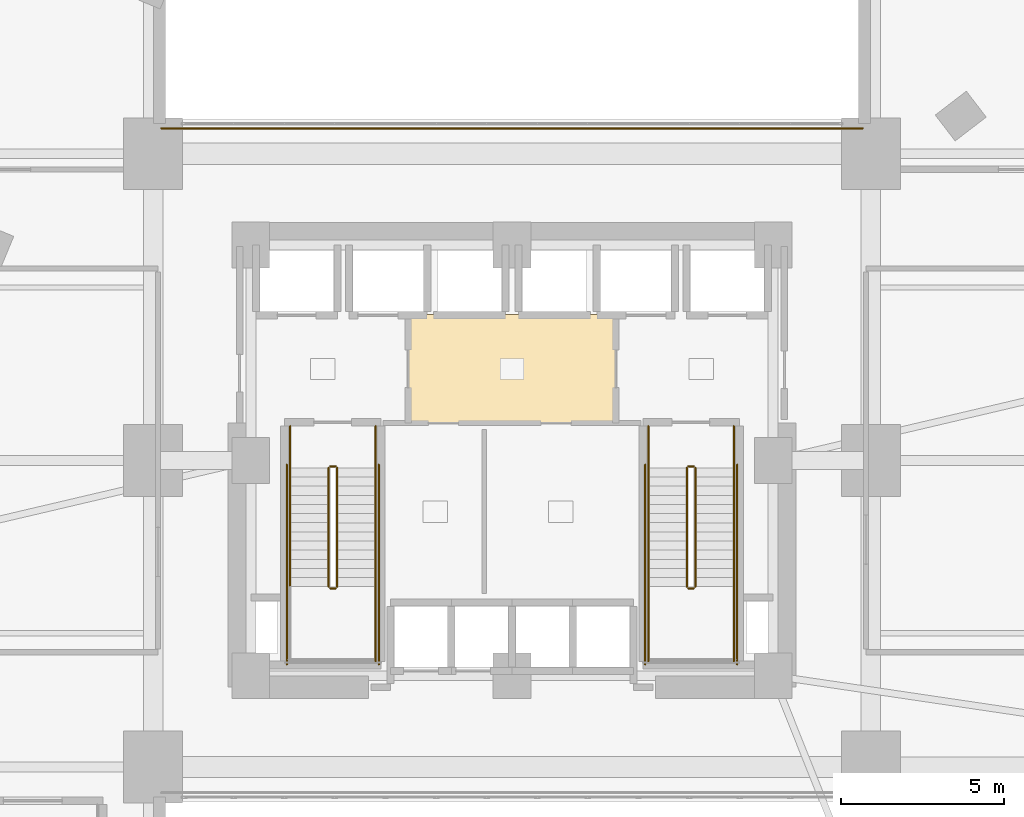
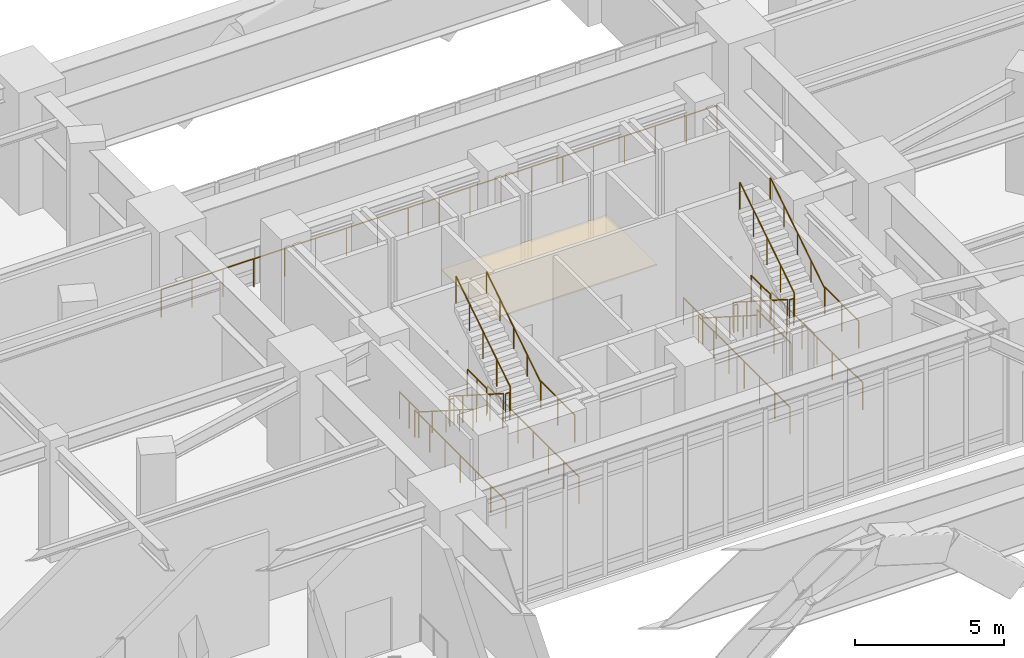
# One storey, part 24 of 25: 24 railings, 1 covering.
"""IFC4 building model written with IfcOpenShell, lengths in metres."""

from ifc_helpers import new_model, si_unit, direction, frame, origin, origin_2d, place, context, subcontext, project, spatial, rectangle, circle, extrude, material, layer, layer_set, type_object, element, save


model = new_model("IFC4")

# Units and contexts
model_context = context("Model", 3, precision=1e-05, world=origin(), true_north=direction((0.0, 1.0)))
body_context = subcontext(model_context, "Body", "Model", "MODEL_VIEW")
ifc_project = project(units=[si_unit("LENGTHUNIT", "METRE"), si_unit("AREAUNIT", "SQUARE_METRE"), si_unit("VOLUMEUNIT", "CUBIC_METRE"), si_unit("PLANEANGLEUNIT", "RADIAN"), si_unit("MASSUNIT", "GRAM", prefix="KILO")], contexts=[model_context])

# Site, building, storey
site_placement = place(None, origin())
site = spatial("IfcSite", under=ifc_project, at=site_placement, CompositionType="ELEMENT")
building_placement = place(site_placement, origin())
building = spatial("IfcBuilding", under=site, at=building_placement, Name="Ndelora Gate Hotel", CompositionType="ELEMENT")
storey_placement = place(building_placement, frame((0.0, 0.0, 11.0)))
storey = spatial("IfcBuildingStorey", under=building, at=storey_placement, Name="L02", CompositionType="ELEMENT", Elevation=11.0)

# Covering
ifc_material_1 = material(Name="Perforated Acoustic Gypsum Board", Category="gypsum")
ifc_layer_1 = layer(ifc_material_1, 0.054931640625)
ifc_layer_set_1 = layer_set([ifc_layer_1], Name="Perforated Acoustic Gypsum Board")
covering_type = type_object("IfcCoveringType", Name="COV-CEIL-AC60", PredefinedType="CEILING", material=ifc_layer_set_1)
covering_placement = place(storey_placement, frame((0.0, 2.800048828125, 2.72265625), z_axis=(0.0, 0.0, 1.0), x_axis=(1.0, 0.0, 0.0)))
element("IfcCovering", 1, at=covering_placement, inside=storey, type_object=covering_type, Name="L02 Lift Lobby Acoustic Ceiling", PredefinedType="CEILING", context=body_context, shape_type="SweptSolid", body=[
    extrude(rectangle(XDim=6.39990234375, YDim=3.340087890625, at=origin_2d()), origin(), (0.0, 0.0, 1.0), 0.054931640625),
])

# Railings
ifc_material_2 = material(Name="Laminated Safety Glass and Bronze Top Rail", Category="glass")
ifc_layer_2 = layer(ifc_material_2, 0.070068359375)
ifc_layer_set_2 = layer_set([ifc_layer_2], Name="Laminated Safety Glass and Bronze Top Rail")
railing_type_1 = type_object("IfcRailingType", Name="RL-BAL-1150", PredefinedType="BALUSTRADE", material=ifc_layer_set_2)
railing_1_placement = place(storey_placement, frame((-10.75, 10.179931640625, 0.0)))
element("IfcRailing", 2, at=railing_1_placement, inside=storey, type_object=railing_type_1, Name="L02 Portal Arch Atrium Edge Guard N-BRIDGE", PredefinedType="BALUSTRADE", context=body_context, shape_type="SweptSolid", body=[
    extrude(circle(Radius=0.02392578125, at=origin_2d()), frame((0.0, 0.0, 1.1357421875), z_axis=(1.0, 0.0, 0.0), x_axis=(0.0, 1.0, 0.0)), (0.0, 0.0, 1.0), 21.5),
    extrude(circle(Radius=0.02099609375, at=origin_2d()), origin(), (0.0, 0.0, 1.0), 1.11181640625),
    extrude(circle(Radius=0.02099609375, at=origin_2d()), frame((1.1943359375, 0.0, 0.0)), (0.0, 0.0, 1.0), 1.11181640625),
    extrude(circle(Radius=0.02099609375, at=origin_2d()), frame((2.388916015625, 0.0, 0.0)), (0.0, 0.0, 1.0), 1.11181640625),
    extrude(circle(Radius=0.02099609375, at=origin_2d()), frame((3.583251953125, 0.0, 0.0)), (0.0, 0.0, 1.0), 1.11181640625),
    extrude(circle(Radius=0.02099609375, at=origin_2d()), frame((4.77783203125, 0.0, 0.0)), (0.0, 0.0, 1.0), 1.11181640625),
    extrude(circle(Radius=0.02099609375, at=origin_2d()), frame((5.97216796875, 0.0, 0.0)), (0.0, 0.0, 1.0), 1.11181640625),
    extrude(circle(Radius=0.02099609375, at=origin_2d()), frame((7.166748046875, 0.0, 0.0)), (0.0, 0.0, 1.0), 1.11181640625),
    extrude(circle(Radius=0.02099609375, at=origin_2d()), frame((8.361083984375, 0.0, 0.0)), (0.0, 0.0, 1.0), 1.11181640625),
    extrude(circle(Radius=0.02099609375, at=origin_2d()), frame((9.5556640625, 0.0, 0.0)), (0.0, 0.0, 1.0), 1.11181640625),
    extrude(circle(Radius=0.02099609375, at=origin_2d()), frame((10.75, 0.0, 0.0)), (0.0, 0.0, 1.0), 1.11181640625),
    extrude(circle(Radius=0.02099609375, at=origin_2d()), frame((11.9443359375, 0.0, 0.0)), (0.0, 0.0, 1.0), 1.11181640625),
    extrude(circle(Radius=0.02099609375, at=origin_2d()), frame((13.138916015625, 0.0, 0.0)), (0.0, 0.0, 1.0), 1.11181640625),
    extrude(circle(Radius=0.02099609375, at=origin_2d()), frame((14.333251953125, 0.0, 0.0)), (0.0, 0.0, 1.0), 1.11181640625),
    extrude(circle(Radius=0.02099609375, at=origin_2d()), frame((15.52783203125, 0.0, 0.0)), (0.0, 0.0, 1.0), 1.11181640625),
    extrude(circle(Radius=0.02099609375, at=origin_2d()), frame((16.72216796875, 0.0, 0.0)), (0.0, 0.0, 1.0), 1.11181640625),
    extrude(circle(Radius=0.02099609375, at=origin_2d()), frame((17.916748046875, 0.0, 0.0)), (0.0, 0.0, 1.0), 1.11181640625),
    extrude(circle(Radius=0.02099609375, at=origin_2d()), frame((19.111083984375, 0.0, 0.0)), (0.0, 0.0, 1.0), 1.11181640625),
    extrude(circle(Radius=0.02099609375, at=origin_2d()), frame((20.3056640625, 0.0, 0.0)), (0.0, 0.0, 1.0), 1.11181640625),
    extrude(circle(Radius=0.02099609375, at=origin_2d()), frame((21.5, 0.0, 0.0)), (0.0, 0.0, 1.0), 1.11181640625),
])
ifc_material_3 = material(Name="Painted Galvanized Steel Balustrade", Category="steel")
ifc_layer_3 = layer(ifc_material_3, 0.06005859375)
ifc_layer_set_3 = layer_set([ifc_layer_3], Name="Painted Galvanized Steel Balustrade")
railing_type_2 = type_object("IfcRailingType", Name="RL-STAIR-GD", PredefinedType="GUARDRAIL", material=ifc_layer_set_3)
railing_2_placement = place(storey_placement, frame((-5.6201171875, -0.22998046875, 0.178466796875)))
element("IfcRailing", 3, at=railing_2_placement, inside=storey, type_object=railing_type_2, Name="L02 ST4 stair guard 1", PredefinedType="GUARDRAIL", context=body_context, shape_type="SweptSolid", body=[
    extrude(circle(Radius=0.02392578125, at=origin_2d()), frame((0.0, 0.0, 1.10595703125), z_axis=(0.0, -0.843127859045, 0.537713132908), x_axis=(1.0, 0.0, 0.0)), (0.0, 0.0, 1.0), 4.3173828125),
    extrude(circle(Radius=0.02099609375, at=origin_2d()), origin(), (0.0, 0.0, 1.0), 1.081787109375),
    extrude(circle(Radius=0.02099609375, at=origin_2d()), frame((0.0, -0.91015625, 0.580322265625)), (0.0, 0.0, 1.0), 1.081787109375),
    extrude(circle(Radius=0.02099609375, at=origin_2d()), frame((0.0, -1.820068359375, 1.16064453125)), (0.0, 0.0, 1.0), 1.081787109375),
    extrude(circle(Radius=0.02099609375, at=origin_2d()), frame((0.0, -2.72998046875, 1.7412109375)), (0.0, 0.0, 1.0), 1.081787109375),
    extrude(circle(Radius=0.02099609375, at=origin_2d()), frame((0.0, -3.64013671875, 2.321533203125)), (0.0, 0.0, 1.0), 1.081787109375),
])
railing_3_placement = place(storey_placement, frame((-5.570068359375, -3.919921875, 2.5)))
element("IfcRailing", 4, at=railing_3_placement, inside=storey, type_object=railing_type_2, Name="L02 ST4 stair guard 2", PredefinedType="GUARDRAIL", context=body_context, shape_type="SweptSolid", body=[
    extrude(circle(Radius=0.02392578125, at=origin_2d()), frame((0.0, 0.0, 1.10595703125), z_axis=(1.0, 0.0, 0.0), x_axis=(0.0, 1.0, 0.0)), (0.0, 0.0, 1.0), 0.16015625),
    extrude(circle(Radius=0.02099609375, at=origin_2d()), origin(), (0.0, 0.0, 1.0), 1.081787109375),
    extrude(circle(Radius=0.02099609375, at=origin_2d()), frame((0.16015625, 0.0, 0.0)), (0.0, 0.0, 1.0), 1.081787109375),
])
railing_4_placement = place(storey_placement, frame((-4.179931640625, -3.8701171875, 2.5)))
element("IfcRailing", 5, at=railing_4_placement, inside=storey, type_object=railing_type_2, Name="L02 ST4 stair guard 4", PredefinedType="GUARDRAIL", context=body_context, shape_type="SweptSolid", body=[
    extrude(circle(Radius=0.02392578125, at=origin_2d()), frame((0.0, 0.0, 1.10595703125), z_axis=(0.0, -1.0, 0.0), x_axis=(1.0, 0.0, 0.0)), (0.0, 0.0, 1.0), 2.27978515625),
    extrude(circle(Radius=0.02099609375, at=origin_2d()), origin(), (0.0, 0.0, 1.0), 1.081787109375),
    extrude(circle(Radius=0.02099609375, at=origin_2d()), frame((0.0, -1.139892578125, 0.0)), (0.0, 0.0, 1.0), 1.081787109375),
    extrude(circle(Radius=0.02099609375, at=origin_2d()), frame((0.0, -2.27978515625, 0.0)), (0.0, 0.0, 1.0), 1.081787109375),
])
railing_5_placement = place(storey_placement, frame((-5.360107421875, -3.8701171875, 2.678466796875)))
element("IfcRailing", 6, at=railing_5_placement, inside=storey, type_object=railing_type_2, Name="L02 ST4 stair guard 6", PredefinedType="GUARDRAIL", context=body_context, shape_type="SweptSolid", body=[
    extrude(circle(Radius=0.02392578125, at=origin_2d()), frame((0.0, 0.0, 1.10595703125), z_axis=(0.0, 0.843127859045, 0.537713132908), x_axis=(-1.0, 0.0, 0.0)), (0.0, 0.0, 1.0), 4.3173828125),
    extrude(circle(Radius=0.02099609375, at=origin_2d()), origin(), (0.0, 0.0, 1.0), 1.081787109375),
    extrude(circle(Radius=0.02099609375, at=origin_2d()), frame((0.0, 0.91015625, 0.580322265625)), (0.0, 0.0, 1.0), 1.081787109375),
    extrude(circle(Radius=0.02099609375, at=origin_2d()), frame((0.0, 1.820068359375, 1.16064453125)), (0.0, 0.0, 1.0), 1.081787109375),
    extrude(circle(Radius=0.02099609375, at=origin_2d()), frame((0.0, 2.72998046875, 1.7412109375)), (0.0, 0.0, 1.0), 1.081787109375),
    extrude(circle(Radius=0.02099609375, at=origin_2d()), frame((0.0, 3.64013671875, 2.321533203125)), (0.0, 0.0, 1.0), 1.081787109375),
])
railing_6_placement = place(storey_placement, frame((-5.570068359375, -0.179931640625, 0.0)))
element("IfcRailing", 7, at=railing_6_placement, inside=storey, type_object=railing_type_2, Name="L02 ST4 stair guard 7", PredefinedType="GUARDRAIL", context=body_context, shape_type="SweptSolid", body=[
    extrude(circle(Radius=0.02392578125, at=origin_2d()), frame((0.0, 0.0, 1.10595703125), z_axis=(1.0, 0.0, 0.0), x_axis=(0.0, 1.0, 0.0)), (0.0, 0.0, 1.0), 0.16015625),
    extrude(circle(Radius=0.02099609375, at=origin_2d()), origin(), (0.0, 0.0, 1.0), 1.081787109375),
    extrude(circle(Radius=0.02099609375, at=origin_2d()), frame((0.16015625, 0.0, 0.0)), (0.0, 0.0, 1.0), 1.081787109375),
])
for number, where, name in (
    (8, (-6.800048828125, 1.050048828125, 0.0), "L02 ST4 stair guard 8"),
    (9, (-4.179931640625, 1.050048828125, 0.0), "L02 ST4 stair guard 9"),
):
    element("IfcRailing", number, at=place(storey_placement, frame(where)), inside=storey, type_object=railing_type_2, Name=name, PredefinedType="GUARDRAIL", context=body_context, shape_type="SweptSolid", body=[
        extrude(circle(Radius=0.02392578125, at=origin_2d()), frame((0.0, 0.0, 1.10595703125), z_axis=(0.0, -1.0, 0.0), x_axis=(1.0, 0.0, 0.0)), (0.0, 0.0, 1.0), 1.280029296875),
        extrude(circle(Radius=0.02099609375, at=origin_2d()), origin(), (0.0, 0.0, 1.0), 1.081787109375),
        extrude(circle(Radius=0.02099609375, at=origin_2d()), frame((0.0, -0.64013671875, 0.0)), (0.0, 0.0, 1.0), 1.081787109375),
        extrude(circle(Radius=0.02099609375, at=origin_2d()), frame((0.0, -1.280029296875, 0.0)), (0.0, 0.0, 1.0), 1.081787109375),
    ])
for number, where, name in (
    (10, (-6.89990234375, -0.1298828125, 0.0), "L02 ST4 stair guard 10"),
    (11, (-4.080078125, -0.1298828125, 0.0), "L02 ST4 stair guard 11"),
):
    element("IfcRailing", number, at=place(storey_placement, frame(where)), inside=storey, type_object=railing_type_2, Name=name, PredefinedType="GUARDRAIL", context=body_context, shape_type="SweptSolid", body=[
        extrude(circle(Radius=0.02392578125, at=origin_2d()), frame((0.0, 0.0, 1.10595703125), z_axis=(0.0, -1.0, 0.0), x_axis=(1.0, 0.0, 0.0)), (0.0, 0.0, 1.0), 6.1201171875),
        extrude(circle(Radius=0.02099609375, at=origin_2d()), origin(), (0.0, 0.0, 1.0), 1.081787109375),
        extrude(circle(Radius=0.02099609375, at=origin_2d()), frame((0.0, -1.02001953125, 0.0)), (0.0, 0.0, 1.0), 1.081787109375),
        extrude(circle(Radius=0.02099609375, at=origin_2d()), frame((0.0, -2.0400390625, 0.0)), (0.0, 0.0, 1.0), 1.081787109375),
        extrude(circle(Radius=0.02099609375, at=origin_2d()), frame((0.0, -3.06005859375, 0.0)), (0.0, 0.0, 1.0), 1.081787109375),
        extrude(circle(Radius=0.02099609375, at=origin_2d()), frame((0.0, -4.080078125, 0.0)), (0.0, 0.0, 1.0), 1.081787109375),
        extrude(circle(Radius=0.02099609375, at=origin_2d()), frame((0.0, -5.10009765625, 0.0)), (0.0, 0.0, 1.0), 1.081787109375),
        extrude(circle(Radius=0.02099609375, at=origin_2d()), frame((0.0, -6.1201171875, 0.0)), (0.0, 0.0, 1.0), 1.081787109375),
    ])
railing_7_placement = place(storey_placement, frame((5.360107421875, -0.22998046875, 0.178466796875)))
element("IfcRailing", 12, at=railing_7_placement, inside=storey, type_object=railing_type_2, Name="L02 ST5 stair guard 1", PredefinedType="GUARDRAIL", context=body_context, shape_type="SweptSolid", body=[
    extrude(circle(Radius=0.02392578125, at=origin_2d()), frame((0.0, 0.0, 1.10595703125), z_axis=(0.0, -0.843127859045, 0.537713132908), x_axis=(1.0, 0.0, 0.0)), (0.0, 0.0, 1.0), 4.3173828125),
    extrude(circle(Radius=0.02099609375, at=origin_2d()), origin(), (0.0, 0.0, 1.0), 1.081787109375),
    extrude(circle(Radius=0.02099609375, at=origin_2d()), frame((0.0, -0.91015625, 0.580322265625)), (0.0, 0.0, 1.0), 1.081787109375),
    extrude(circle(Radius=0.02099609375, at=origin_2d()), frame((0.0, -1.820068359375, 1.16064453125)), (0.0, 0.0, 1.0), 1.081787109375),
    extrude(circle(Radius=0.02099609375, at=origin_2d()), frame((0.0, -2.72998046875, 1.7412109375)), (0.0, 0.0, 1.0), 1.081787109375),
    extrude(circle(Radius=0.02099609375, at=origin_2d()), frame((0.0, -3.64013671875, 2.321533203125)), (0.0, 0.0, 1.0), 1.081787109375),
])
railing_8_placement = place(storey_placement, frame((5.409912109375, -3.919921875, 2.5)))
element("IfcRailing", 13, at=railing_8_placement, inside=storey, type_object=railing_type_2, Name="L02 ST5 stair guard 2", PredefinedType="GUARDRAIL", context=body_context, shape_type="SweptSolid", body=[
    extrude(circle(Radius=0.02392578125, at=origin_2d()), frame((0.0, 0.0, 1.10595703125), z_axis=(1.0, 0.0, 0.0), x_axis=(0.0, 1.0, 0.0)), (0.0, 0.0, 1.0), 0.16015625),
    extrude(circle(Radius=0.02099609375, at=origin_2d()), origin(), (0.0, 0.0, 1.0), 1.081787109375),
    extrude(circle(Radius=0.02099609375, at=origin_2d()), frame((0.16015625, 0.0, 0.0)), (0.0, 0.0, 1.0), 1.081787109375),
])
for number, where, name in (
    (14, (4.179931640625, -3.8701171875, 2.5), "L02 ST5 stair guard 3"),
    (15, (6.800048828125, -3.8701171875, 2.5), "L02 ST5 stair guard 4"),
):
    element("IfcRailing", number, at=place(storey_placement, frame(where)), inside=storey, type_object=railing_type_2, Name=name, PredefinedType="GUARDRAIL", context=body_context, shape_type="SweptSolid", body=[
        extrude(circle(Radius=0.02392578125, at=origin_2d()), frame((0.0, 0.0, 1.10595703125), z_axis=(0.0, -1.0, 0.0), x_axis=(1.0, 0.0, 0.0)), (0.0, 0.0, 1.0), 2.27978515625),
        extrude(circle(Radius=0.02099609375, at=origin_2d()), origin(), (0.0, 0.0, 1.0), 1.081787109375),
        extrude(circle(Radius=0.02099609375, at=origin_2d()), frame((0.0, -1.139892578125, 0.0)), (0.0, 0.0, 1.0), 1.081787109375),
        extrude(circle(Radius=0.02099609375, at=origin_2d()), frame((0.0, -2.27978515625, 0.0)), (0.0, 0.0, 1.0), 1.081787109375),
    ])
railing_9_placement = place(storey_placement, frame((5.6201171875, -3.8701171875, 2.678466796875)))
element("IfcRailing", 16, at=railing_9_placement, inside=storey, type_object=railing_type_2, Name="L02 ST5 stair guard 6", PredefinedType="GUARDRAIL", context=body_context, shape_type="SweptSolid", body=[
    extrude(circle(Radius=0.02392578125, at=origin_2d()), frame((0.0, 0.0, 1.10595703125), z_axis=(0.0, 0.843127859045, 0.537713132908), x_axis=(-1.0, 0.0, 0.0)), (0.0, 0.0, 1.0), 4.3173828125),
    extrude(circle(Radius=0.02099609375, at=origin_2d()), origin(), (0.0, 0.0, 1.0), 1.081787109375),
    extrude(circle(Radius=0.02099609375, at=origin_2d()), frame((0.0, 0.91015625, 0.580322265625)), (0.0, 0.0, 1.0), 1.081787109375),
    extrude(circle(Radius=0.02099609375, at=origin_2d()), frame((0.0, 1.820068359375, 1.16064453125)), (0.0, 0.0, 1.0), 1.081787109375),
    extrude(circle(Radius=0.02099609375, at=origin_2d()), frame((0.0, 2.72998046875, 1.7412109375)), (0.0, 0.0, 1.0), 1.081787109375),
    extrude(circle(Radius=0.02099609375, at=origin_2d()), frame((0.0, 3.64013671875, 2.321533203125)), (0.0, 0.0, 1.0), 1.081787109375),
])
railing_10_placement = place(storey_placement, frame((5.409912109375, -0.179931640625, 0.0)))
element("IfcRailing", 17, at=railing_10_placement, inside=storey, type_object=railing_type_2, Name="L02 ST5 stair guard 7", PredefinedType="GUARDRAIL", context=body_context, shape_type="SweptSolid", body=[
    extrude(circle(Radius=0.02392578125, at=origin_2d()), frame((0.0, 0.0, 1.10595703125), z_axis=(1.0, 0.0, 0.0), x_axis=(0.0, 1.0, 0.0)), (0.0, 0.0, 1.0), 0.16015625),
    extrude(circle(Radius=0.02099609375, at=origin_2d()), origin(), (0.0, 0.0, 1.0), 1.081787109375),
    extrude(circle(Radius=0.02099609375, at=origin_2d()), frame((0.16015625, 0.0, 0.0)), (0.0, 0.0, 1.0), 1.081787109375),
])
for number, where, name in (
    (18, (4.179931640625, 1.050048828125, 0.0), "L02 ST5 stair guard 8"),
    (19, (6.800048828125, 1.050048828125, 0.0), "L02 ST5 stair guard 9"),
):
    element("IfcRailing", number, at=place(storey_placement, frame(where)), inside=storey, type_object=railing_type_2, Name=name, PredefinedType="GUARDRAIL", context=body_context, shape_type="SweptSolid", body=[
        extrude(circle(Radius=0.02392578125, at=origin_2d()), frame((0.0, 0.0, 1.10595703125), z_axis=(0.0, -1.0, 0.0), x_axis=(1.0, 0.0, 0.0)), (0.0, 0.0, 1.0), 1.280029296875),
        extrude(circle(Radius=0.02099609375, at=origin_2d()), origin(), (0.0, 0.0, 1.0), 1.081787109375),
        extrude(circle(Radius=0.02099609375, at=origin_2d()), frame((0.0, -0.64013671875, 0.0)), (0.0, 0.0, 1.0), 1.081787109375),
        extrude(circle(Radius=0.02099609375, at=origin_2d()), frame((0.0, -1.280029296875, 0.0)), (0.0, 0.0, 1.0), 1.081787109375),
    ])
for number, where, name in (
    (20, (4.080078125, -0.1298828125, 0.0), "L02 ST5 stair guard 10"),
    (21, (6.89990234375, -0.1298828125, 0.0), "L02 ST5 stair guard 11"),
):
    element("IfcRailing", number, at=place(storey_placement, frame(where)), inside=storey, type_object=railing_type_2, Name=name, PredefinedType="GUARDRAIL", context=body_context, shape_type="SweptSolid", body=[
        extrude(circle(Radius=0.02392578125, at=origin_2d()), frame((0.0, 0.0, 1.10595703125), z_axis=(0.0, -1.0, 0.0), x_axis=(1.0, 0.0, 0.0)), (0.0, 0.0, 1.0), 6.1201171875),
        extrude(circle(Radius=0.02099609375, at=origin_2d()), origin(), (0.0, 0.0, 1.0), 1.081787109375),
        extrude(circle(Radius=0.02099609375, at=origin_2d()), frame((0.0, -1.02001953125, 0.0)), (0.0, 0.0, 1.0), 1.081787109375),
        extrude(circle(Radius=0.02099609375, at=origin_2d()), frame((0.0, -2.0400390625, 0.0)), (0.0, 0.0, 1.0), 1.081787109375),
        extrude(circle(Radius=0.02099609375, at=origin_2d()), frame((0.0, -3.06005859375, 0.0)), (0.0, 0.0, 1.0), 1.081787109375),
        extrude(circle(Radius=0.02099609375, at=origin_2d()), frame((0.0, -4.080078125, 0.0)), (0.0, 0.0, 1.0), 1.081787109375),
        extrude(circle(Radius=0.02099609375, at=origin_2d()), frame((0.0, -5.10009765625, 0.0)), (0.0, 0.0, 1.0), 1.081787109375),
        extrude(circle(Radius=0.02099609375, at=origin_2d()), frame((0.0, -6.1201171875, 0.0)), (0.0, 0.0, 1.0), 1.081787109375),
    ])
ifc_material_4 = material(Name="Brushed Stainless Steel 316", Category="steel")
ifc_layer_4 = layer(ifc_material_4, 0.050048828125)
ifc_layer_set_4 = layer_set([ifc_layer_4], Name="Brushed Stainless Steel 316")
railing_type_3 = type_object("IfcRailingType", Name="RL-STAIR-HR", PredefinedType="HANDRAIL", material=ifc_layer_set_4)
railing_11_placement = place(storey_placement, frame((-6.800048828125, -0.22998046875, 0.178466796875)))
element("IfcRailing", 22, at=railing_11_placement, inside=storey, type_object=railing_type_3, Name="L02 ST4 stair handrail 1", PredefinedType="HANDRAIL", context=body_context, shape_type="SweptSolid", body=[
    extrude(circle(Radius=0.02392578125, at=origin_2d()), frame((0.0, 0.0, 0.8759765625), z_axis=(0.0, -0.843127859045, 0.537713132908), x_axis=(1.0, 0.0, 0.0)), (0.0, 0.0, 1.0), 4.3173828125),
    extrude(circle(Radius=0.02099609375, at=origin_2d()), origin(), (0.0, 0.0, 1.0), 0.851806640625),
    extrude(circle(Radius=0.02099609375, at=origin_2d()), frame((0.0, -0.91015625, 0.580322265625)), (0.0, 0.0, 1.0), 0.851806640625),
    extrude(circle(Radius=0.02099609375, at=origin_2d()), frame((0.0, -1.820068359375, 1.16064453125)), (0.0, 0.0, 1.0), 0.851806640625),
    extrude(circle(Radius=0.02099609375, at=origin_2d()), frame((0.0, -2.72998046875, 1.7412109375)), (0.0, 0.0, 1.0), 0.851806640625),
    extrude(circle(Radius=0.02099609375, at=origin_2d()), frame((0.0, -3.64013671875, 2.321533203125)), (0.0, 0.0, 1.0), 0.851806640625),
])
railing_12_placement = place(storey_placement, frame((-4.179931640625, -3.8701171875, 2.678466796875)))
element("IfcRailing", 23, at=railing_12_placement, inside=storey, type_object=railing_type_3, Name="L02 ST4 stair handrail 2", PredefinedType="HANDRAIL", context=body_context, shape_type="SweptSolid", body=[
    extrude(circle(Radius=0.02392578125, at=origin_2d()), frame((0.0, 0.0, 0.8759765625), z_axis=(0.0, 0.843127859045, 0.537713132908), x_axis=(-1.0, 0.0, 0.0)), (0.0, 0.0, 1.0), 4.3173828125),
    extrude(circle(Radius=0.02099609375, at=origin_2d()), origin(), (0.0, 0.0, 1.0), 0.851806640625),
    extrude(circle(Radius=0.02099609375, at=origin_2d()), frame((0.0, 0.91015625, 0.580322265625)), (0.0, 0.0, 1.0), 0.851806640625),
    extrude(circle(Radius=0.02099609375, at=origin_2d()), frame((0.0, 1.820068359375, 1.16064453125)), (0.0, 0.0, 1.0), 0.851806640625),
    extrude(circle(Radius=0.02099609375, at=origin_2d()), frame((0.0, 2.72998046875, 1.7412109375)), (0.0, 0.0, 1.0), 0.851806640625),
    extrude(circle(Radius=0.02099609375, at=origin_2d()), frame((0.0, 3.64013671875, 2.321533203125)), (0.0, 0.0, 1.0), 0.851806640625),
])
railing_13_placement = place(storey_placement, frame((4.179931640625, -0.22998046875, 0.178466796875)))
element("IfcRailing", 24, at=railing_13_placement, inside=storey, type_object=railing_type_3, Name="L02 ST5 stair handrail 1", PredefinedType="HANDRAIL", context=body_context, shape_type="SweptSolid", body=[
    extrude(circle(Radius=0.02392578125, at=origin_2d()), frame((0.0, 0.0, 0.8759765625), z_axis=(0.0, -0.843127859045, 0.537713132908), x_axis=(1.0, 0.0, 0.0)), (0.0, 0.0, 1.0), 4.3173828125),
    extrude(circle(Radius=0.02099609375, at=origin_2d()), origin(), (0.0, 0.0, 1.0), 0.851806640625),
    extrude(circle(Radius=0.02099609375, at=origin_2d()), frame((0.0, -0.91015625, 0.580322265625)), (0.0, 0.0, 1.0), 0.851806640625),
    extrude(circle(Radius=0.02099609375, at=origin_2d()), frame((0.0, -1.820068359375, 1.16064453125)), (0.0, 0.0, 1.0), 0.851806640625),
    extrude(circle(Radius=0.02099609375, at=origin_2d()), frame((0.0, -2.72998046875, 1.7412109375)), (0.0, 0.0, 1.0), 0.851806640625),
    extrude(circle(Radius=0.02099609375, at=origin_2d()), frame((0.0, -3.64013671875, 2.321533203125)), (0.0, 0.0, 1.0), 0.851806640625),
])
railing_14_placement = place(storey_placement, frame((6.800048828125, -3.8701171875, 2.678466796875)))
element("IfcRailing", 25, at=railing_14_placement, inside=storey, type_object=railing_type_3, Name="L02 ST5 stair handrail 2", PredefinedType="HANDRAIL", context=body_context, shape_type="SweptSolid", body=[
    extrude(circle(Radius=0.02392578125, at=origin_2d()), frame((0.0, 0.0, 0.8759765625), z_axis=(0.0, 0.843127859045, 0.537713132908), x_axis=(-1.0, 0.0, 0.0)), (0.0, 0.0, 1.0), 4.3173828125),
    extrude(circle(Radius=0.02099609375, at=origin_2d()), origin(), (0.0, 0.0, 1.0), 0.851806640625),
    extrude(circle(Radius=0.02099609375, at=origin_2d()), frame((0.0, 0.91015625, 0.580322265625)), (0.0, 0.0, 1.0), 0.851806640625),
    extrude(circle(Radius=0.02099609375, at=origin_2d()), frame((0.0, 1.820068359375, 1.16064453125)), (0.0, 0.0, 1.0), 0.851806640625),
    extrude(circle(Radius=0.02099609375, at=origin_2d()), frame((0.0, 2.72998046875, 1.7412109375)), (0.0, 0.0, 1.0), 0.851806640625),
    extrude(circle(Radius=0.02099609375, at=origin_2d()), frame((0.0, 3.64013671875, 2.321533203125)), (0.0, 0.0, 1.0), 0.851806640625),
])

save(model, "model.ifc")
